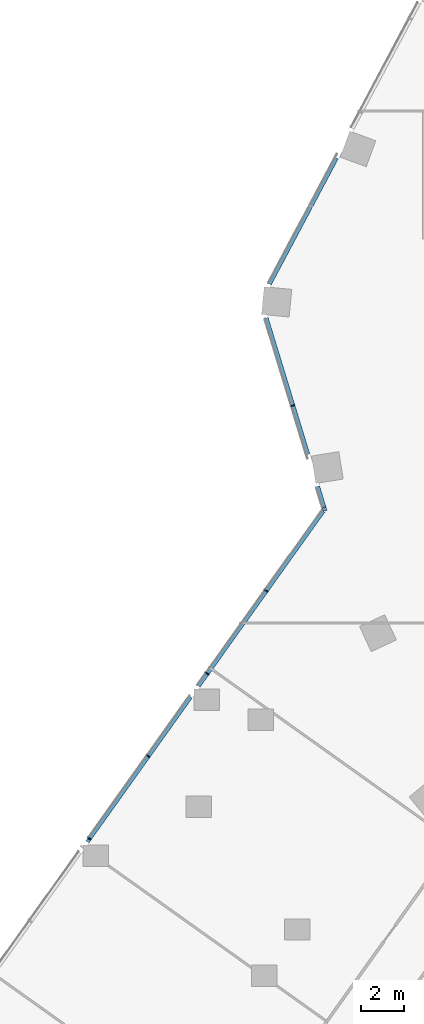
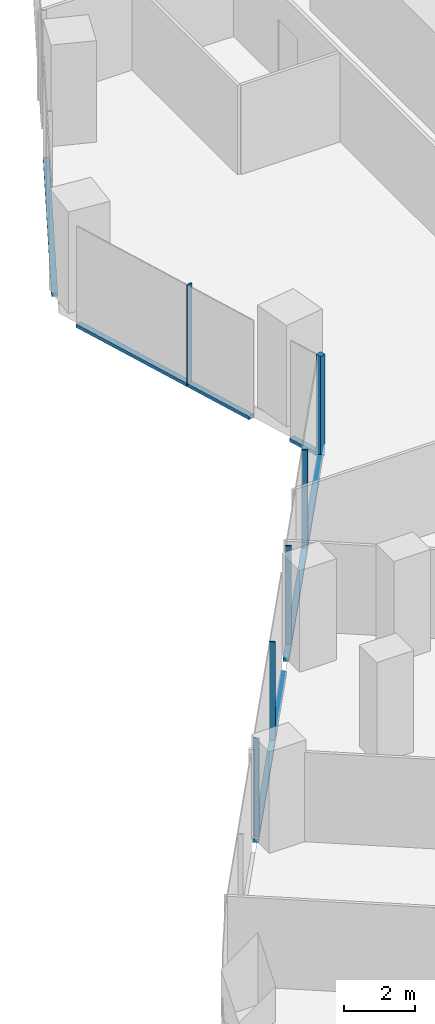
# One storey, part 7 of 31: 11 members, 3 elements without a shape of their own.
"""IFC4 building model written with IfcOpenShell, lengths in metres."""

import ifcopenshell
import ifcopenshell.guid

model = None  # the IFC model being written
_history = None  # IfcOwnerHistory: only IFC2X3 demands one
_inside = {}  # id of a spatial element -> (the spatial element, [elements in it])
_under = {}  # id of a project, library or spatial element -> (it, [spatial elements below it])
_declared = {}  # id of a project -> (the project, [libraries it declares])
_typed = {}  # id of a type object -> (the type object, [elements of that type])
_made_of = {}  # id of a material, layer set ... -> (it, [elements and type objects made of it])


def new_model(schema):
    """Start an empty IFC model of exactly this schema.

    Asked for "IFC4X3", IfcOpenShell would pick the latest addendum, in which some entities
    have other attributes; the version numbers below select the first issue.
    IFC2X3 requires an IfcOwnerHistory on every rooted entity: one is made here for all.
    """
    global model, _history
    if schema == "IFC4X3":
        model = ifcopenshell.file(schema_version=(4, 3, 0, 0))
    else:
        model = ifcopenshell.file(schema=schema)
    _inside.clear()
    _under.clear()
    _declared.clear()
    _typed.clear()
    _made_of.clear()
    _history = None
    if model.schema == "IFC2X3":
        org = make("IfcOrganization", Name="unknown")
        user = make(
            "IfcPersonAndOrganization",
            ThePerson=make("IfcPerson", FamilyName="unknown"),
            TheOrganization=org,
        )
        app = make(
            "IfcApplication",
            ApplicationDeveloper=org,
            Version="unknown",
            ApplicationFullName="unknown",
            ApplicationIdentifier="unknown",
        )
        _history = make(
            "IfcOwnerHistory",
            OwningUser=user,
            OwningApplication=app,
            ChangeAction="ADDED",
            CreationDate=0,
        )
    return model


def make(cls, **values):
    """One entity of the class cls with the attributes given. An attribute that is None is left unset."""
    return model.create_entity(
        cls, **{name: value for name, value in values.items() if value is not None}
    )


def rooted(cls, **values):
    """An entity with a GlobalId (a new one), such as an element, a storey or a relation."""
    return make(cls, GlobalId=ifcopenshell.guid.new(), OwnerHistory=_history, **values)


def si_unit(unit_type, name, prefix=None):
    """IfcSIUnit, for example si_unit("LENGTHUNIT", "METRE", prefix="MILLI")."""
    return make("IfcSIUnit", UnitType=unit_type, Prefix=prefix, Name=name)


def assignment(units):
    """IfcUnitAssignment: the units of a project."""
    return None if units is None else make("IfcUnitAssignment", Units=units)


def point(xyz):
    """IfcCartesianPoint."""
    return None if xyz is None else make("IfcCartesianPoint", Coordinates=xyz)


def direction(xyz):
    """IfcDirection."""
    return None if xyz is None else make("IfcDirection", DirectionRatios=xyz)


def frame(location, z_axis=None, x_axis=None):
    """IfcAxis2Placement3D, a coordinate frame: its origin and axes. An axis left out is left unset."""
    return make(
        "IfcAxis2Placement3D",
        Location=point(location),
        Axis=direction(z_axis),
        RefDirection=direction(x_axis),
    )


def frame_2d(location, x_axis=None):
    """IfcAxis2Placement2D, a coordinate frame in the plane: its origin and x axis."""
    return make(
        "IfcAxis2Placement2D", Location=point(location), RefDirection=direction(x_axis)
    )


def origin():
    """The frame at (0, 0, 0) with its axes left unset."""
    return frame((0.0, 0.0, 0.0))


def origin_2d():
    """The frame at (0, 0) in the plane with its x axis left unset."""
    return frame_2d((0.0, 0.0))


def place(relative_to, where):
    """IfcLocalPlacement: puts the frame where relative to a parent placement (None: the world)."""
    return make(
        "IfcLocalPlacement", PlacementRelTo=relative_to, RelativePlacement=where
    )


def context(
    kind, dimensions, precision=None, world=None, true_north=None, identifier=None
):
    """IfcGeometricRepresentationContext, for example the 3D "Model" context."""
    return make(
        "IfcGeometricRepresentationContext",
        ContextIdentifier=identifier,
        ContextType=kind,
        CoordinateSpaceDimension=dimensions,
        Precision=precision,
        WorldCoordinateSystem=world,
        TrueNorth=true_north,
    )


def subcontext(parent, identifier, kind, view, scale=None):
    """IfcGeometricRepresentationSubContext, for example "Body" below "Model"."""
    return make(
        "IfcGeometricRepresentationSubContext",
        ContextIdentifier=identifier,
        ContextType=kind,
        ParentContext=parent,
        TargetScale=scale,
        TargetView=view,
    )


def project(units=None, contexts=None):
    """IfcProject with its units and contexts."""
    return rooted(
        "IfcProject",
        Name="project",
        RepresentationContexts=contexts,
        UnitsInContext=assignment(units),
    )


def spatial(cls, under=None, at=None, **own):
    """A site, building, storey or space (cls), placed at a placement, below another one or the project."""
    s = rooted(cls, ObjectPlacement=at, **own)
    if under is not None:
        _under.setdefault(under.id(), (under, []))[1].append(s)
    return s


def profile(cls, at=None, kind="AREA", **sizes):
    """A parametric profile (cls). Its sizes go by their IFC names, for example OverallWidth=200.0."""
    return make(cls, ProfileType=kind, Position=at, **sizes)


def rectangle(**sizes):
    """IfcRectangleProfileDef."""
    return profile("IfcRectangleProfileDef", **sizes)


def extrude(swept, where, along, depth):
    """IfcExtrudedAreaSolid: the profile swept, set in the frame where, extruded along a direction by depth."""
    return make(
        "IfcExtrudedAreaSolid",
        SweptArea=swept,
        Position=where,
        ExtrudedDirection=direction(along),
        Depth=depth,
    )


def shape(context_of_items, identifier, shape_type, items):
    """IfcShapeRepresentation: the items that make up one representation, for example the "Body"."""
    return make(
        "IfcShapeRepresentation",
        ContextOfItems=context_of_items,
        RepresentationIdentifier=identifier,
        RepresentationType=shape_type,
        Items=items,
    )


def material(Name=None, Category=None):
    """IfcMaterial."""
    return make("IfcMaterial", Name=Name, Category=Category)


def material_profile(
    of_material, cross_section, Name=None, Category=None, Priority=None
):
    """IfcMaterialProfile: a cross section and its material."""
    return make(
        "IfcMaterialProfile",
        Name=Name,
        Material=of_material,
        Profile=cross_section,
        Priority=Priority,
        Category=Category,
    )


def profile_set(profiles, Name=None, composite=None):
    """IfcMaterialProfileSet."""
    return make(
        "IfcMaterialProfileSet",
        Name=Name,
        MaterialProfiles=profiles,
        CompositeProfile=composite,
    )


def made_of(thing, what):
    """Note that an element or type object is made of a material, layer set ...; save() writes the relation."""
    if what is not None:
        _made_of.setdefault(what.id(), (what, []))[1].append(thing)
    return thing


def type_object(cls, material=None, **own):
    """A type object (cls), such as IfcWallType, which elements share."""
    return made_of(rooted(cls, **own), material)


def element(
    cls,
    number,
    at=None,
    inside=None,
    cuts=None,
    type_object=None,
    material=None,
    context=None,
    identifier="Body",
    shape_type=None,
    held_by="IfcProductDefinitionShape",
    body=None,
    shapes=None,
    **own,
):
    """One element of the class cls, such as IfcWall. Its Tag is "e" and its number.

    at: its placement. inside: the storey or other place that contains it. cuts: it is an
    opening in that element (IfcRelVoidsElement). A single representation is given by context,
    identifier, shape_type and body (its items); several are given by shapes. held_by: the class
    of the entity that holds the representations. save() writes the other relations.
    """
    e = rooted(cls, Tag="e%d" % number, ObjectPlacement=at, **own)
    if body is not None:
        shapes = [shape(context, identifier, shape_type, body)]
    if shapes is not None:
        e.Representation = make(held_by, Representations=shapes)
    if inside is not None:
        _inside.setdefault(inside.id(), (inside, []))[1].append(e)
    if cuts is not None:
        rooted(
            "IfcRelVoidsElement", RelatingBuildingElement=cuts, RelatedOpeningElement=e
        )
    if type_object is not None:
        _typed.setdefault(type_object.id(), (type_object, []))[1].append(e)
    return made_of(e, material)


def aggregate(whole, parts):
    """IfcRelAggregates: a whole, such as a stair, and the parts it consists of."""
    return rooted("IfcRelAggregates", RelatingObject=whole, RelatedObjects=parts)


def save(model, path):
    """Write the relations noted so far, then the file.

    IfcRelAggregates (storeys below a building ...), IfcRelContainedInSpatialStructure (elements
    in a storey), IfcRelDefinesByType, IfcRelAssociatesMaterial and IfcRelDeclares: one each for
    every whole, place, type object, material and project.
    """
    for whole, parts in _under.values():
        aggregate(whole, parts)
    for where, things in _inside.values():
        rooted(
            "IfcRelContainedInSpatialStructure",
            RelatedElements=things,
            RelatingStructure=where,
        )
    for kind, things in _typed.values():
        rooted("IfcRelDefinesByType", RelatedObjects=things, RelatingType=kind)
    for what, things in _made_of.values():
        rooted("IfcRelAssociatesMaterial", RelatedObjects=things, RelatingMaterial=what)
    for by, libraries in _declared.values():
        rooted("IfcRelDeclares", RelatingContext=by, RelatedDefinitions=libraries)
    model.write(path)


model = new_model("IFC4")

# Units and contexts
model_context = context("Model", 3, precision=1e-05, world=origin(), true_north=direction((0.0, 1.0)))
body_context = subcontext(model_context, "Body", "Model", "MODEL_VIEW")
ifc_project = project(units=[si_unit("LENGTHUNIT", "METRE"), si_unit("AREAUNIT", "SQUARE_METRE"), si_unit("VOLUMEUNIT", "CUBIC_METRE"), si_unit("PLANEANGLEUNIT", "RADIAN"), si_unit("MASSUNIT", "GRAM", prefix="KILO")], contexts=[model_context])

# Site, building, storey
site_placement = place(None, origin())
site = spatial("IfcSite", under=ifc_project, at=site_placement, CompositionType="ELEMENT")
building_placement = place(site_placement, origin())
building = spatial("IfcBuilding", under=site, at=building_placement, Name="Orlundy Tower", CompositionType="ELEMENT")
storey_placement = place(building_placement, frame((0.0, 0.0, 87.699951171875)))
storey = spatial("IfcBuildingStorey", under=building, at=storey_placement, Name="L21", CompositionType="ELEMENT", Elevation=87.699951171875)

# Curtain wall, member
ifc_material_1 = material(Name="Aluminium bronze anodised", Category="aluminium")
curtain_wall_type = type_object("IfcCurtainWallType", Name="CW1 wall", PredefinedType="NOTDEFINED", material=ifc_material_1)
curtain_wall_1_placement = place(storey_placement, origin())
curtain_wall_1 = element("IfcCurtainWall", 1, at=curtain_wall_1_placement, inside=storey, type_object=curtain_wall_type, Name="CW1 run 01", PredefinedType="NOTDEFINED")
ifc_material_2 = material(Name="Aluminium bronze anodised", Category="aluminium")
ifc_material_profile_1 = material_profile(ifc_material_2, rectangle(XDim=0.179931640625, YDim=0.179931640625, at=origin_2d()), Name="CW1 corner post 180x180")
ifc_profile_set_1 = profile_set([ifc_material_profile_1], Name="Aluminium bronze anodised")
member_type_1 = type_object("IfcMemberType", Name="CW1 corner post 180x180", PredefinedType="MULLION", material=ifc_profile_set_1)
member_1_placement = place(storey_placement, frame((-29.427978515625, -6.660888671875, -0.39990234375), z_axis=(0.0, 0.0, 1.0), x_axis=(-0.956299228529, -0.292389783533, 0.0)))
member_1 = element("IfcMember", 2, at=member_1_placement, type_object=member_type_1, Name="CW1 mullion 7", PredefinedType="MULLION", context=body_context, shape_type="SweptSolid", body=[
    extrude(rectangle(XDim=0.179931640625, YDim=0.179931640625, at=origin_2d()), origin(), (0.0, 0.0, 1.0), 3.5),
])

# Curtain wall, members
curtain_wall_2_placement = place(storey_placement, origin())
curtain_wall_2 = element("IfcCurtainWall", 3, at=curtain_wall_2_placement, inside=storey, type_object=curtain_wall_type, Name="CW1 run 00", PredefinedType="NOTDEFINED")
ifc_material_3 = material(Name="Aluminium bronze anodised", Category="aluminium")
ifc_material_profile_2 = material_profile(ifc_material_3, rectangle(XDim=0.179931640625, YDim=0.050048828125, at=origin_2d()), Name="CW1 mullion 50x180")
ifc_profile_set_2 = profile_set([ifc_material_profile_2], Name="Aluminium bronze anodised")
member_type_2 = type_object("IfcMemberType", Name="CW1 mullion 50x180", PredefinedType="MULLION", material=ifc_profile_set_2)
member_2_placement = place(storey_placement, frame((-40.4482421875, -22.11083984375, -0.39990234375), z_axis=(0.0, 0.0, 1.0), x_axis=(-0.814116921316, 0.580700988829, 0.0)))
member_2 = element("IfcMember", 4, at=member_2_placement, type_object=member_type_2, Name="CW1 mullion 3", PredefinedType="MULLION", context=body_context, shape_type="SweptSolid", body=[
    extrude(rectangle(XDim=0.179931640625, YDim=0.050048828125, at=origin_2d()), origin(), (0.0, 0.0, 1.0), 3.5),
])
member_3_placement = place(storey_placement, frame((-37.686767578125, -18.2392578125, -0.39990234375), z_axis=(0.0, 0.0, 1.0), x_axis=(-0.814116921316, 0.580700988829, 0.0)))
member_3 = element("IfcMember", 5, at=member_3_placement, type_object=member_type_2, Name="CW1 mullion 4", PredefinedType="MULLION", context=body_context, shape_type="SweptSolid", body=[
    extrude(rectangle(XDim=0.179931640625, YDim=0.050048828125, at=origin_2d()), origin(), (0.0, 0.0, 1.0), 3.5),
])
member_4_placement = place(storey_placement, frame((-34.92529296875, -14.36767578125, -0.39990234375), z_axis=(0.0, 0.0, 1.0), x_axis=(-0.814116921316, 0.580700988829, 0.0)))
member_4 = element("IfcMember", 6, at=member_4_placement, type_object=member_type_2, Name="CW1 mullion 5", PredefinedType="MULLION", context=body_context, shape_type="SweptSolid", body=[
    extrude(rectangle(XDim=0.179931640625, YDim=0.050048828125, at=origin_2d()), origin(), (0.0, 0.0, 1.0), 3.5),
])
member_5_placement = place(storey_placement, frame((-32.163818359375, -10.496337890625, -0.39990234375), z_axis=(0.0, 0.0, 1.0), x_axis=(-0.814116921316, 0.580700988829, 0.0)))
member_5 = element("IfcMember", 7, at=member_5_placement, type_object=member_type_2, Name="CW1 mullion 6", PredefinedType="MULLION", context=body_context, shape_type="SweptSolid", body=[
    extrude(rectangle(XDim=0.179931640625, YDim=0.050048828125, at=origin_2d()), origin(), (0.0, 0.0, 1.0), 3.5),
])

# Member
member_6_placement = place(storey_placement, frame((-30.91162109375, -1.808837890625, -0.39990234375), z_axis=(0.0, 0.0, 1.0), x_axis=(-0.956299228529, -0.292389783533, 0.0)))
member_6 = element("IfcMember", 8, at=member_6_placement, type_object=member_type_2, Name="CW1 mullion 8", PredefinedType="MULLION", context=body_context, shape_type="SweptSolid", body=[
    extrude(rectangle(XDim=0.179931640625, YDim=0.050048828125, at=origin_2d()), origin(), (0.0, 0.0, 1.0), 3.5),
])

ifc_material_4 = material(Name="Aluminium bronze anodised", Category="aluminium")
ifc_material_profile_3 = material_profile(ifc_material_4, rectangle(XDim=0.179931640625, YDim=0.1201171875, at=origin_2d()), Name="CW1 transom 180x120")
ifc_profile_set_3 = profile_set([ifc_material_profile_3], Name="Aluminium bronze anodised")
member_type_3 = type_object("IfcMemberType", Name="CW1 transom 180x120", PredefinedType="USERDEFINED", material=ifc_profile_set_3)
member_7_placement = place(storey_placement, frame((-40.547607421875, -22.25, -0.33984375), z_axis=(0.580695047202, 0.814121159383, 0.0), x_axis=(-0.814121159383, 0.580695047202, 0.0)))
member_7 = element("IfcMember", 9, at=member_7_placement, type_object=member_type_3, Name="CW1 transom", ObjectType="TRANSOM", PredefinedType="USERDEFINED", context=body_context, shape_type="SweptSolid", body=[
    extrude(rectangle(XDim=0.179931640625, YDim=0.1201171875, at=origin_2d()), origin(), (0.0, 0.0, 1.0), 8.3359375),
])

member_8_placement = place(storey_placement, frame((-35.340576171875, -14.949951171875, -0.33984375), z_axis=(0.580701325073, 0.814116681477, 0.0), x_axis=(-0.814116681477, 0.580701325073, 0.0)))
member_8 = element("IfcMember", 10, at=member_8_placement, type_object=member_type_3, Name="CW1 transom", ObjectType="TRANSOM", PredefinedType="USERDEFINED", context=body_context, shape_type="SweptSolid", body=[
    extrude(rectangle(XDim=0.179931640625, YDim=0.1201171875, at=origin_2d()), origin(), (0.0, 0.0, 1.0), 10.068359375),
])

aggregate(curtain_wall_2, [member_2, member_3, member_4, member_5, member_7, member_8])

member_9_placement = place(storey_placement, frame((-29.454345703125, -6.57470703125, -0.33984375), z_axis=(-0.292491498348, 0.956268123172, 0.0), x_axis=(-0.956268123172, -0.292491498348, 0.0)))
member_9 = element("IfcMember", 11, at=member_9_placement, type_object=member_type_3, Name="CW1 transom", ObjectType="TRANSOM", PredefinedType="USERDEFINED", context=body_context, shape_type="SweptSolid", body=[
    extrude(rectangle(XDim=0.179931640625, YDim=0.1201171875, at=origin_2d()), origin(), (0.0, 0.0, 1.0), 1.0224609375),
])

member_10_placement = place(storey_placement, frame((-30.211181640625, -4.099853515625, -0.33984375), z_axis=(-0.292366048802, 0.956306485133, 0.0), x_axis=(-0.956306485133, -0.292366048802, 0.0)))
member_10 = element("IfcMember", 12, at=member_10_placement, type_object=member_type_3, Name="CW1 transom", ObjectType="TRANSOM", PredefinedType="USERDEFINED", context=body_context, shape_type="SweptSolid", body=[
    extrude(rectangle(XDim=0.179931640625, YDim=0.1201171875, at=origin_2d()), origin(), (0.0, 0.0, 1.0), 6.685302734375),
])

aggregate(curtain_wall_1, [member_1, member_6, member_9, member_10])

# Curtain wall, member
curtain_wall_3_placement = place(storey_placement, origin())
curtain_wall_3 = element("IfcCurtainWall", 13, at=curtain_wall_3_placement, inside=storey, type_object=curtain_wall_type, Name="CW1 run 02", PredefinedType="NOTDEFINED")
member_11_placement = place(storey_placement, frame((-32.012451171875, 3.885986328125, -0.33984375), z_axis=(0.469468302858, 0.882949326186, 0.0), x_axis=(-0.882949326186, 0.469468302858, 0.0)))
member_11 = element("IfcMember", 14, at=member_11_placement, type_object=member_type_3, Name="CW1 transom", ObjectType="TRANSOM", PredefinedType="USERDEFINED", context=body_context, shape_type="SweptSolid", body=[
    extrude(rectangle(XDim=0.179931640625, YDim=0.1201171875, at=origin_2d()), origin(), (0.0, 0.0, 1.0), 6.689208984375),
])
aggregate(curtain_wall_3, [member_11])

save(model, "model.ifc")
